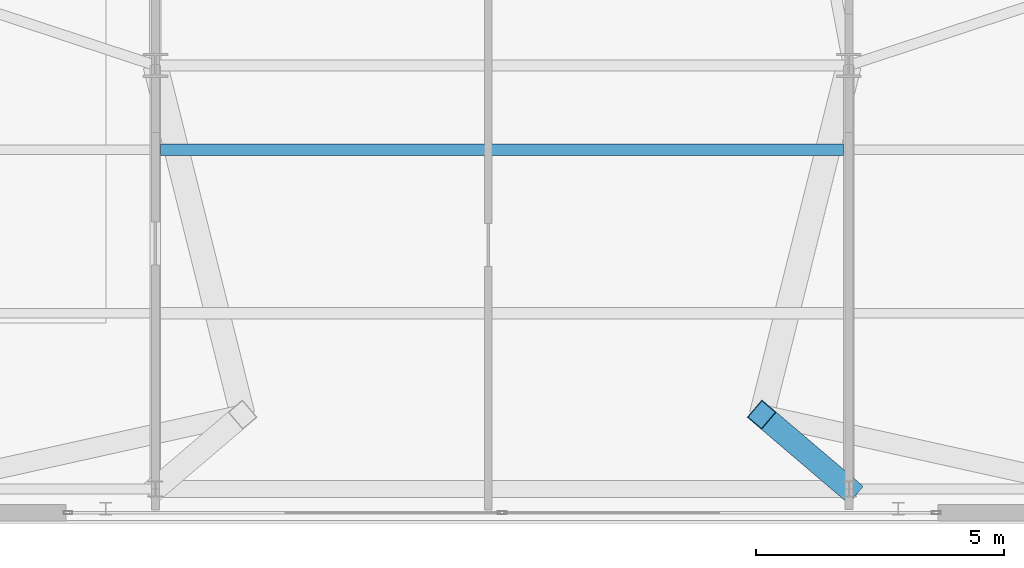
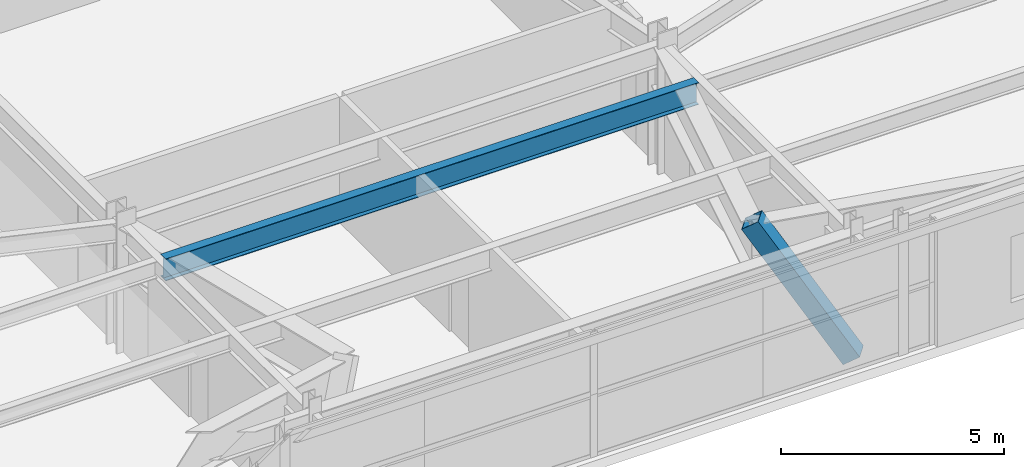
# One storey, part 12 of 27: 1 beam, 1 member.
"""IFC4 building model written with IfcOpenShell, lengths in metres."""

from ifc_helpers import new_model, si_unit, direction, frame, origin, origin_2d, place, context, subcontext, project, spatial, hollow_rectangle, i_section, extrude, source, transform, mapped, material, material_profile, profile_set, type_object, element, save


model = new_model("IFC4")

# Units and contexts
model_context = context("Model", 3, precision=1e-05, world=origin(), true_north=direction((0.0, 1.0)))
body_context = subcontext(model_context, "Body", "Model", "MODEL_VIEW")
ifc_project = project(units=[si_unit("LENGTHUNIT", "METRE"), si_unit("AREAUNIT", "SQUARE_METRE"), si_unit("VOLUMEUNIT", "CUBIC_METRE"), si_unit("PLANEANGLEUNIT", "RADIAN"), si_unit("MASSUNIT", "GRAM", prefix="KILO")], contexts=[model_context])

# Site, building, storey
site_placement = place(None, origin())
site = spatial("IfcSite", under=ifc_project, at=site_placement, CompositionType="ELEMENT")
building_placement = place(site_placement, origin())
building = spatial("IfcBuilding", under=site, at=building_placement, Name="Taldren Reach Tower", CompositionType="ELEMENT")
storey_placement = place(building_placement, frame((0.0, 0.0, 12.949951171875)))
storey = spatial("IfcBuildingStorey", under=building, at=storey_placement, Name="L03", CompositionType="ELEMENT", Elevation=12.949951171875)

# Beam
ifc_material_1 = material(Name="Steel Gr 350 (350PLUS)", Category="steel")
ifc_material_profile_1 = material_profile(ifc_material_1, i_section(OverallWidth=0.22802734375, OverallDepth=0.60205078125, WebThickness=0.010498046875, FlangeThickness=0.014892578125, at=origin_2d()), Name="610UB101")
ifc_profile_set_1 = profile_set([ifc_material_profile_1], Name="Steel Gr 350 (350PLUS)")
beam_type = type_object("IfcBeamType", Name="BM-UB610B", PredefinedType="BEAM", material=ifc_profile_set_1)
shared_shape_1 = source(origin(), body_context, "Body", "SweptSolid", [
    extrude(i_section(OverallWidth=0.22802734375, OverallDepth=0.60205078125, WebThickness=0.010498046875, FlangeThickness=0.014892578125, at=origin_2d()), origin(), (0.0, 0.0, 1.0), 13.791015625),
])
beam_placement = place(storey_placement, frame((28.1044921875, 7.5, 3.129150390625), z_axis=(1.0, 0.0, 0.0), x_axis=(0.0, 1.0, 0.0)))
element("IfcBeam", 1, at=beam_placement, inside=storey, type_object=beam_type, Name="Podium composite floor beam L03-2.2", PredefinedType="BEAM", context=body_context, shape_type="MappedRepresentation", body=[
    mapped(shared_shape_1, transform((0.0, 0.0, 0.0), scale=1.0)),
])

# Member
ifc_material_2 = material(Name="Steel Gr 450 (C450L0)", Category="steel")
ifc_material_profile_2 = material_profile(ifc_material_2, hollow_rectangle(XDim=0.4599609375, YDim=0.4599609375, WallThickness=0.01611328125, at=origin_2d()), Name="460x460x16.0SHS")
ifc_profile_set_2 = profile_set([ifc_material_profile_2], Name="Steel Gr 450 (C450L0)")
member_type = type_object("IfcMemberType", Name="MB-EXO457", PredefinedType="BRACE", material=ifc_profile_set_2)
shared_shape_2 = source(origin(), body_context, "Body", "SweptSolid", [
    extrude(hollow_rectangle(XDim=0.4599609375, YDim=0.4599609375, WallThickness=0.01611328125, at=origin_2d()), origin(), (0.0, 0.0, 1.0), 4.1201171875),
])
member_placement = place(storey_placement, frame((42.0, 0.64990234375, 0.02001953125), z_axis=(-0.427177588308, 0.364069788121, 0.827630652782), x_axis=(-0.648649975321, -0.761086860691, 0.0)))
element("IfcMember", 2, at=member_placement, inside=storey, type_object=member_type, Name="Portal and block transfer strut TS-B1-S4 L03", PredefinedType="BRACE", context=body_context, shape_type="MappedRepresentation", body=[
    mapped(shared_shape_2, transform((0.0, 0.0, 0.0), scale=1.0)),
])

save(model, "model.ifc")
